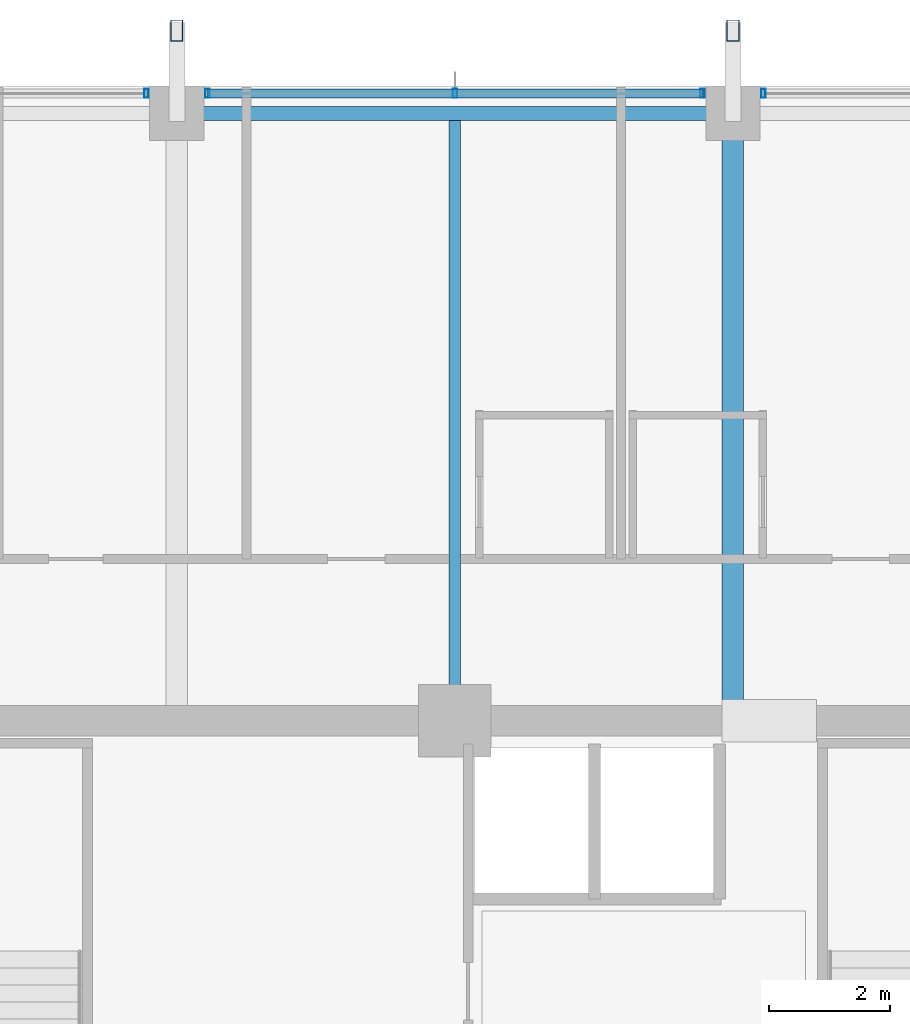
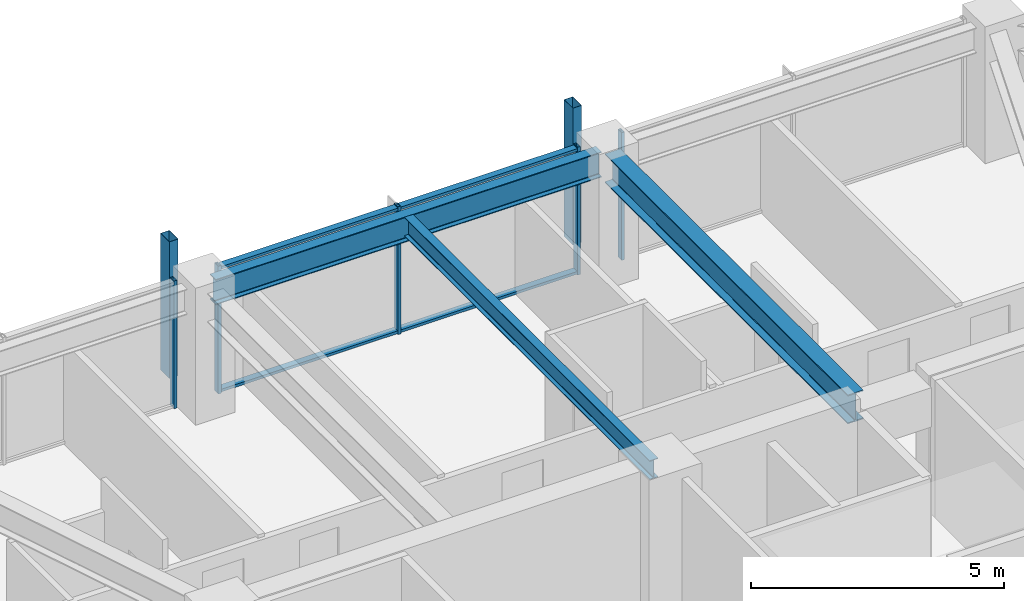
# One storey, part 19 of 35: 9 members, 3 beams, 3 elements without a shape of their own.
"""IFC4 building model written with IfcOpenShell, lengths in metres."""

import ifcopenshell
import ifcopenshell.guid

model = None  # the IFC model being written
_history = None  # IfcOwnerHistory: only IFC2X3 demands one
_inside = {}  # id of a spatial element -> (the spatial element, [elements in it])
_under = {}  # id of a project, library or spatial element -> (it, [spatial elements below it])
_declared = {}  # id of a project -> (the project, [libraries it declares])
_typed = {}  # id of a type object -> (the type object, [elements of that type])
_made_of = {}  # id of a material, layer set ... -> (it, [elements and type objects made of it])


def new_model(schema):
    """Start an empty IFC model of exactly this schema.

    Asked for "IFC4X3", IfcOpenShell would pick the latest addendum, in which some entities
    have other attributes; the version numbers below select the first issue.
    IFC2X3 requires an IfcOwnerHistory on every rooted entity: one is made here for all.
    """
    global model, _history
    if schema == "IFC4X3":
        model = ifcopenshell.file(schema_version=(4, 3, 0, 0))
    else:
        model = ifcopenshell.file(schema=schema)
    _inside.clear()
    _under.clear()
    _declared.clear()
    _typed.clear()
    _made_of.clear()
    _history = None
    if model.schema == "IFC2X3":
        org = make("IfcOrganization", Name="unknown")
        user = make(
            "IfcPersonAndOrganization",
            ThePerson=make("IfcPerson", FamilyName="unknown"),
            TheOrganization=org,
        )
        app = make(
            "IfcApplication",
            ApplicationDeveloper=org,
            Version="unknown",
            ApplicationFullName="unknown",
            ApplicationIdentifier="unknown",
        )
        _history = make(
            "IfcOwnerHistory",
            OwningUser=user,
            OwningApplication=app,
            ChangeAction="ADDED",
            CreationDate=0,
        )
    return model


def make(cls, **values):
    """One entity of the class cls with the attributes given. An attribute that is None is left unset."""
    return model.create_entity(
        cls, **{name: value for name, value in values.items() if value is not None}
    )


def rooted(cls, **values):
    """An entity with a GlobalId (a new one), such as an element, a storey or a relation."""
    return make(cls, GlobalId=ifcopenshell.guid.new(), OwnerHistory=_history, **values)


def si_unit(unit_type, name, prefix=None):
    """IfcSIUnit, for example si_unit("LENGTHUNIT", "METRE", prefix="MILLI")."""
    return make("IfcSIUnit", UnitType=unit_type, Prefix=prefix, Name=name)


def assignment(units):
    """IfcUnitAssignment: the units of a project."""
    return None if units is None else make("IfcUnitAssignment", Units=units)


def point(xyz):
    """IfcCartesianPoint."""
    return None if xyz is None else make("IfcCartesianPoint", Coordinates=xyz)


def direction(xyz):
    """IfcDirection."""
    return None if xyz is None else make("IfcDirection", DirectionRatios=xyz)


def frame(location, z_axis=None, x_axis=None):
    """IfcAxis2Placement3D, a coordinate frame: its origin and axes. An axis left out is left unset."""
    return make(
        "IfcAxis2Placement3D",
        Location=point(location),
        Axis=direction(z_axis),
        RefDirection=direction(x_axis),
    )


def frame_2d(location, x_axis=None):
    """IfcAxis2Placement2D, a coordinate frame in the plane: its origin and x axis."""
    return make(
        "IfcAxis2Placement2D", Location=point(location), RefDirection=direction(x_axis)
    )


def origin():
    """The frame at (0, 0, 0) with its axes left unset."""
    return frame((0.0, 0.0, 0.0))


def origin_2d():
    """The frame at (0, 0) in the plane with its x axis left unset."""
    return frame_2d((0.0, 0.0))


def place(relative_to, where):
    """IfcLocalPlacement: puts the frame where relative to a parent placement (None: the world)."""
    return make(
        "IfcLocalPlacement", PlacementRelTo=relative_to, RelativePlacement=where
    )


def context(
    kind, dimensions, precision=None, world=None, true_north=None, identifier=None
):
    """IfcGeometricRepresentationContext, for example the 3D "Model" context."""
    return make(
        "IfcGeometricRepresentationContext",
        ContextIdentifier=identifier,
        ContextType=kind,
        CoordinateSpaceDimension=dimensions,
        Precision=precision,
        WorldCoordinateSystem=world,
        TrueNorth=true_north,
    )


def subcontext(parent, identifier, kind, view, scale=None):
    """IfcGeometricRepresentationSubContext, for example "Body" below "Model"."""
    return make(
        "IfcGeometricRepresentationSubContext",
        ContextIdentifier=identifier,
        ContextType=kind,
        ParentContext=parent,
        TargetScale=scale,
        TargetView=view,
    )


def project(units=None, contexts=None):
    """IfcProject with its units and contexts."""
    return rooted(
        "IfcProject",
        Name="project",
        RepresentationContexts=contexts,
        UnitsInContext=assignment(units),
    )


def spatial(cls, under=None, at=None, **own):
    """A site, building, storey or space (cls), placed at a placement, below another one or the project."""
    s = rooted(cls, ObjectPlacement=at, **own)
    if under is not None:
        _under.setdefault(under.id(), (under, []))[1].append(s)
    return s


def profile(cls, at=None, kind="AREA", **sizes):
    """A parametric profile (cls). Its sizes go by their IFC names, for example OverallWidth=200.0."""
    return make(cls, ProfileType=kind, Position=at, **sizes)


def hollow_rectangle(**sizes):
    """IfcRectangleHollowProfileDef."""
    return profile("IfcRectangleHollowProfileDef", **sizes)


def i_section(**sizes):
    """IfcIShapeProfileDef."""
    return profile("IfcIShapeProfileDef", **sizes)


def extrude(swept, where, along, depth):
    """IfcExtrudedAreaSolid: the profile swept, set in the frame where, extruded along a direction by depth."""
    return make(
        "IfcExtrudedAreaSolid",
        SweptArea=swept,
        Position=where,
        ExtrudedDirection=direction(along),
        Depth=depth,
    )


def shape(context_of_items, identifier, shape_type, items):
    """IfcShapeRepresentation: the items that make up one representation, for example the "Body"."""
    return make(
        "IfcShapeRepresentation",
        ContextOfItems=context_of_items,
        RepresentationIdentifier=identifier,
        RepresentationType=shape_type,
        Items=items,
    )


def material(Name=None, Category=None):
    """IfcMaterial."""
    return make("IfcMaterial", Name=Name, Category=Category)


def material_profile(
    of_material, cross_section, Name=None, Category=None, Priority=None
):
    """IfcMaterialProfile: a cross section and its material."""
    return make(
        "IfcMaterialProfile",
        Name=Name,
        Material=of_material,
        Profile=cross_section,
        Priority=Priority,
        Category=Category,
    )


def profile_set(profiles, Name=None, composite=None):
    """IfcMaterialProfileSet."""
    return make(
        "IfcMaterialProfileSet",
        Name=Name,
        MaterialProfiles=profiles,
        CompositeProfile=composite,
    )


def made_of(thing, what):
    """Note that an element or type object is made of a material, layer set ...; save() writes the relation."""
    if what is not None:
        _made_of.setdefault(what.id(), (what, []))[1].append(thing)
    return thing


def type_object(cls, material=None, **own):
    """A type object (cls), such as IfcWallType, which elements share."""
    return made_of(rooted(cls, **own), material)


def element(
    cls,
    number,
    at=None,
    inside=None,
    cuts=None,
    type_object=None,
    material=None,
    context=None,
    identifier="Body",
    shape_type=None,
    held_by="IfcProductDefinitionShape",
    body=None,
    shapes=None,
    **own,
):
    """One element of the class cls, such as IfcWall. Its Tag is "e" and its number.

    at: its placement. inside: the storey or other place that contains it. cuts: it is an
    opening in that element (IfcRelVoidsElement). A single representation is given by context,
    identifier, shape_type and body (its items); several are given by shapes. held_by: the class
    of the entity that holds the representations. save() writes the other relations.
    """
    e = rooted(cls, Tag="e%d" % number, ObjectPlacement=at, **own)
    if body is not None:
        shapes = [shape(context, identifier, shape_type, body)]
    if shapes is not None:
        e.Representation = make(held_by, Representations=shapes)
    if inside is not None:
        _inside.setdefault(inside.id(), (inside, []))[1].append(e)
    if cuts is not None:
        rooted(
            "IfcRelVoidsElement", RelatingBuildingElement=cuts, RelatedOpeningElement=e
        )
    if type_object is not None:
        _typed.setdefault(type_object.id(), (type_object, []))[1].append(e)
    return made_of(e, material)


def aggregate(whole, parts):
    """IfcRelAggregates: a whole, such as a stair, and the parts it consists of."""
    return rooted("IfcRelAggregates", RelatingObject=whole, RelatedObjects=parts)


def save(model, path):
    """Write the relations noted so far, then the file.

    IfcRelAggregates (storeys below a building ...), IfcRelContainedInSpatialStructure (elements
    in a storey), IfcRelDefinesByType, IfcRelAssociatesMaterial and IfcRelDeclares: one each for
    every whole, place, type object, material and project.
    """
    for whole, parts in _under.values():
        aggregate(whole, parts)
    for where, things in _inside.values():
        rooted(
            "IfcRelContainedInSpatialStructure",
            RelatedElements=things,
            RelatingStructure=where,
        )
    for kind, things in _typed.values():
        rooted("IfcRelDefinesByType", RelatedObjects=things, RelatingType=kind)
    for what, things in _made_of.values():
        rooted("IfcRelAssociatesMaterial", RelatedObjects=things, RelatingMaterial=what)
    for by, libraries in _declared.values():
        rooted("IfcRelDeclares", RelatingContext=by, RelatedDefinitions=libraries)
    model.write(path)


model = new_model("IFC4")

# Units and contexts
model_context = context("Model", 3, precision=1e-05, world=origin(), true_north=direction((0.0, 1.0)))
body_context = subcontext(model_context, "Body", "Model", "MODEL_VIEW")
ifc_project = project(units=[si_unit("LENGTHUNIT", "METRE"), si_unit("AREAUNIT", "SQUARE_METRE"), si_unit("VOLUMEUNIT", "CUBIC_METRE"), si_unit("PLANEANGLEUNIT", "RADIAN"), si_unit("MASSUNIT", "GRAM", prefix="KILO")], contexts=[model_context])

# Site, building, storey
site_placement = place(None, origin())
site = spatial("IfcSite", under=ifc_project, at=site_placement, CompositionType="ELEMENT")
building_placement = place(site_placement, origin())
building = spatial("IfcBuilding", under=site, at=building_placement, Name="Kolvaren Belvedere", CompositionType="ELEMENT")
storey_placement = place(building_placement, frame((0.0, 0.0, 176.699951171875)))
storey = spatial("IfcBuildingStorey", under=building, at=storey_placement, Name="L51", CompositionType="ELEMENT", Elevation=176.699951171875)

# Beams
ifc_material_1 = material(Name="Structural steel ASTM A992 Grade 50", Category="steel")
ifc_material_profile_1 = material_profile(ifc_material_1, i_section(OverallWidth=0.35498046875, OverallDepth=0.696044921875, WebThickness=0.015380859375, FlangeThickness=0.02490234375, FilletRadius=0.02197265625, at=origin_2d()), Name="W27X146")
ifc_profile_set_1 = profile_set([ifc_material_profile_1], Name="Structural steel ASTM A992 Grade 50")
beam_type_1 = type_object("IfcBeamType", Name="BM-GIRD-W27X146", PredefinedType="BEAM", material=ifc_profile_set_1)
beam_1_placement = place(storey_placement, frame((4.60009765625, 10.14990234375, 2.73193359375), z_axis=(0.0, 1.0, 0.0), x_axis=(-1.0, 0.0, 0.0)))
element("IfcBeam", 1, at=beam_1_placement, inside=storey, type_object=beam_type_1, Name="L51 North Radial Girder P", PredefinedType="BEAM", context=body_context, shape_type="SweptSolid", body=[
    extrude(i_section(OverallWidth=0.35498046875, OverallDepth=0.696044921875, WebThickness=0.015380859375, FlangeThickness=0.02490234375, FilletRadius=0.02197265625, at=origin_2d()), origin(), (0.0, 0.0, 1.0), 9.59765625),
])
ifc_material_2 = material(Name="Structural steel ASTM A992 Grade 50", Category="steel")
ifc_material_profile_2 = material_profile(ifc_material_2, i_section(OverallWidth=0.19091796875, OverallDepth=0.4599609375, WebThickness=0.010009765625, FlangeThickness=0.01611328125, FilletRadius=0.014892578125, at=origin_2d()), Name="W18X55")
ifc_profile_set_2 = profile_set([ifc_material_profile_2], Name="Structural steel ASTM A992 Grade 50")
beam_type_2 = type_object("IfcBeamType", Name="BM-JOIST-W18X55", PredefinedType="BEAM", material=ifc_profile_set_2)
beam_2_placement = place(storey_placement, frame((0.0, 10.14990234375, 2.85009765625), z_axis=(0.0, 1.0, 0.0), x_axis=(-1.0, 0.0, 0.0)))
element("IfcBeam", 2, at=beam_2_placement, inside=storey, type_object=beam_type_2, Name="L51 North Centre Floor Beam", PredefinedType="BEAM", context=body_context, shape_type="SweptSolid", body=[
    extrude(i_section(OverallWidth=0.19091796875, OverallDepth=0.4599609375, WebThickness=0.010009765625, FlangeThickness=0.01611328125, FilletRadius=0.014892578125, at=origin_2d()), origin(), (0.0, 0.0, 1.0), 9.685546875),
])
ifc_material_3 = material(Name="Structural steel ASTM A992 Grade 50", Category="steel")
ifc_material_profile_3 = material_profile(ifc_material_3, i_section(OverallWidth=0.22900390625, OverallDepth=0.612060546875, WebThickness=0.011962890625, FlangeThickness=0.01953125, FilletRadius=0.01806640625, at=origin_2d()), Name="W24X84")
ifc_profile_set_3 = profile_set([ifc_material_profile_3], Name="Structural steel ASTM A992 Grade 50")
beam_type_3 = type_object("IfcBeamType", Name="BM-SPAN-W24X84", PredefinedType="SPANDREL", material=ifc_profile_set_3)
beam_3_placement = place(storey_placement, frame((4.3974609375, 19.949951171875, 2.774169921875), z_axis=(-1.0, 0.0, 0.0), x_axis=(0.0, -1.0, 0.0)))
element("IfcBeam", 3, at=beam_3_placement, inside=storey, type_object=beam_type_3, Name="L51 Perimeter Spandrel N3-N2", PredefinedType="SPANDREL", context=body_context, shape_type="SweptSolid", body=[
    extrude(i_section(OverallWidth=0.22900390625, OverallDepth=0.612060546875, WebThickness=0.011962890625, FlangeThickness=0.01953125, FilletRadius=0.01806640625, at=origin_2d()), origin(), (0.0, 0.0, 1.0), 8.794921875),
])

# Curtain wall, member
ifc_material_4 = material(Name="Anodised pale-metal aluminium AA 6063-T6", Category="aluminium")
curtain_wall_type = type_object("IfcCurtainWallType", Name="CW-Z5-HIGH", PredefinedType="NOTDEFINED", material=ifc_material_4)
curtain_wall_1_placement = place(storey_placement, origin())
curtain_wall_1 = element("IfcCurtainWall", 4, at=curtain_wall_1_placement, inside=storey, type_object=curtain_wall_type, Name="L51 Unitised Curtain Wall FCW-L51-N-B1", PredefinedType="NOTDEFINED")
ifc_material_5 = material(Name="Anodised pale-metal aluminium AA 6063-T6", Category="aluminium")
ifc_material_profile_4 = material_profile(ifc_material_5, hollow_rectangle(XDim=0.070068359375, YDim=0.14990234375, WallThickness=0.004150390625, at=origin_2d()), Name="ALU-MUL-150X70")
ifc_profile_set_4 = profile_set([ifc_material_profile_4], Name="Anodised pale-metal aluminium AA 6063-T6")
member_type_1 = type_object("IfcMemberType", Name="CW-MUL-150", PredefinedType="MULLION", material=ifc_profile_set_4)
member_1_placement = place(storey_placement, frame((-5.10498046875, 20.280029296875, 0.0), z_axis=(0.0, 0.0, 1.0), x_axis=(1.0, 0.0, 0.0)))
member_1 = element("IfcMember", 5, at=member_1_placement, type_object=member_type_1, Name="FCW-L51-N-B1 Unitised Mullion 3", PredefinedType="MULLION", context=body_context, shape_type="SweptSolid", body=[
    extrude(hollow_rectangle(XDim=0.070068359375, YDim=0.14990234375, WallThickness=0.004150390625, at=origin_2d()), origin(), (0.0, 0.0, 1.0), 3.080078125),
])
aggregate(curtain_wall_1, [member_1])

# Curtain wall, members
curtain_wall_2_placement = place(storey_placement, origin())
curtain_wall_2 = element("IfcCurtainWall", 6, at=curtain_wall_2_placement, inside=storey, type_object=curtain_wall_type, Name="L51 Unitised Curtain Wall FCW-L51-N-B2", PredefinedType="NOTDEFINED")
member_2_placement = place(storey_placement, frame((-4.094970703125, 20.280029296875, 0.0), z_axis=(0.0, 0.0, 1.0), x_axis=(1.0, 0.0, 0.0)))
member_2 = element("IfcMember", 7, at=member_2_placement, type_object=member_type_1, Name="FCW-L51-N-B2 Unitised Mullion 1", PredefinedType="MULLION", context=body_context, shape_type="SweptSolid", body=[
    extrude(hollow_rectangle(XDim=0.070068359375, YDim=0.14990234375, WallThickness=0.004150390625, at=origin_2d()), origin(), (0.0, 0.0, 1.0), 3.080078125),
])
member_3_placement = place(storey_placement, frame((0.0, 20.280029296875, 0.0), z_axis=(0.0, 0.0, 1.0), x_axis=(1.0, 0.0, 0.0)))
member_3 = element("IfcMember", 8, at=member_3_placement, type_object=member_type_1, Name="FCW-L51-N-B2 Unitised Mullion 2", PredefinedType="MULLION", context=body_context, shape_type="SweptSolid", body=[
    extrude(hollow_rectangle(XDim=0.070068359375, YDim=0.14990234375, WallThickness=0.004150390625, at=origin_2d()), origin(), (0.0, 0.0, 1.0), 3.080078125),
])
member_4_placement = place(storey_placement, frame((4.094970703125, 20.280029296875, 0.0), z_axis=(0.0, 0.0, 1.0), x_axis=(1.0, 0.0, 0.0)))
member_4 = element("IfcMember", 9, at=member_4_placement, type_object=member_type_1, Name="FCW-L51-N-B2 Unitised Mullion 3", PredefinedType="MULLION", context=body_context, shape_type="SweptSolid", body=[
    extrude(hollow_rectangle(XDim=0.070068359375, YDim=0.14990234375, WallThickness=0.004150390625, at=origin_2d()), origin(), (0.0, 0.0, 1.0), 3.080078125),
])

# Curtain wall, member
curtain_wall_3_placement = place(storey_placement, origin())
curtain_wall_3 = element("IfcCurtainWall", 10, at=curtain_wall_3_placement, inside=storey, type_object=curtain_wall_type, Name="L51 Unitised Curtain Wall FCW-L51-N-B3", PredefinedType="NOTDEFINED")
member_5_placement = place(storey_placement, frame((5.10498046875, 20.280029296875, 0.0), z_axis=(0.0, 0.0, 1.0), x_axis=(1.0, 0.0, 0.0)))
member_5 = element("IfcMember", 11, at=member_5_placement, type_object=member_type_1, Name="FCW-L51-N-B3 Unitised Mullion 1", PredefinedType="MULLION", context=body_context, shape_type="SweptSolid", body=[
    extrude(hollow_rectangle(XDim=0.070068359375, YDim=0.14990234375, WallThickness=0.004150390625, at=origin_2d()), origin(), (0.0, 0.0, 1.0), 3.080078125),
])
aggregate(curtain_wall_3, [member_5])

# Member
ifc_material_6 = material(Name="Anodised pale-metal aluminium AA 6063-T6", Category="aluminium")
ifc_material_profile_5 = material_profile(ifc_material_6, hollow_rectangle(XDim=0.06494140625, YDim=0.14990234375, WallThickness=0.00390625, at=origin_2d()), Name="ALU-TRN-150X65")
ifc_profile_set_5 = profile_set([ifc_material_profile_5], Name="Anodised pale-metal aluminium AA 6063-T6")
member_type_2 = type_object("IfcMemberType", Name="CW-TRN-150", PredefinedType="USERDEFINED", material=ifc_profile_set_5)
member_6_placement = place(storey_placement, frame((-4.094970703125, 20.280029296875, 0.06005859375), z_axis=(1.0, 0.0, 0.0), x_axis=(0.0, 0.0, 1.0)))
member_6 = element("IfcMember", 12, at=member_6_placement, type_object=member_type_2, Name="FCW-L51-N-B2 Sill Transom", ObjectType="TRANSOM", PredefinedType="USERDEFINED", context=body_context, shape_type="SweptSolid", body=[
    extrude(hollow_rectangle(XDim=0.06494140625, YDim=0.14990234375, WallThickness=0.00390625, at=origin_2d()), origin(), (0.0, 0.0, 1.0), 8.18994140625),
])

member_7_placement = place(storey_placement, frame((-4.094970703125, 20.280029296875, 3.02001953125), z_axis=(1.0, 0.0, 0.0), x_axis=(0.0, 0.0, 1.0)))
member_7 = element("IfcMember", 13, at=member_7_placement, type_object=member_type_2, Name="FCW-L51-N-B2 Head Transom", ObjectType="TRANSOM", PredefinedType="USERDEFINED", context=body_context, shape_type="SweptSolid", body=[
    extrude(hollow_rectangle(XDim=0.06494140625, YDim=0.14990234375, WallThickness=0.00390625, at=origin_2d()), origin(), (0.0, 0.0, 1.0), 8.18994140625),
])

aggregate(curtain_wall_2, [member_2, member_3, member_4, member_6, member_7])

# Members
ifc_material_7 = material(Name="Anodised pale-metal aluminium AA 6063-T6", Category="aluminium")
ifc_material_profile_6 = material_profile(ifc_material_7, hollow_rectangle(XDim=0.199951171875, YDim=0.35009765625, WallThickness=0.007568359375, at=origin_2d()), Name="ALU-PF-350X200")
ifc_profile_set_6 = profile_set([ifc_material_profile_6], Name="Anodised pale-metal aluminium AA 6063-T6")
member_type_3 = type_object("IfcMemberType", Name="PF-FRAME-350", PredefinedType="USERDEFINED", material=ifc_profile_set_6)
for number, where, z_axis, x_axis, name in (
    (14, (-4.60009765625, 21.320068359375, 0.0), (0.0, 0.0, 1.0), (1.0, 0.0, 0.0), "L51 Outboard Picture-Frame Vertical N1"),
    (15, (4.60009765625, 21.320068359375, 0.0), (0.0, 0.0, 1.0), (1.0, 0.0, 0.0), "L51 Outboard Picture-Frame Vertical N2"),
):
    element("IfcMember", number, at=place(storey_placement, frame(where, z_axis=z_axis, x_axis=x_axis)), inside=storey, type_object=member_type_3, Name=name, ObjectType="PICTURE FRAME FIN", PredefinedType="USERDEFINED", context=body_context, shape_type="SweptSolid", body=[
        extrude(hollow_rectangle(XDim=0.199951171875, YDim=0.35009765625, WallThickness=0.007568359375, at=origin_2d()), origin(), (0.0, 0.0, 1.0), 3.300048828125),
    ])

save(model, "model.ifc")
